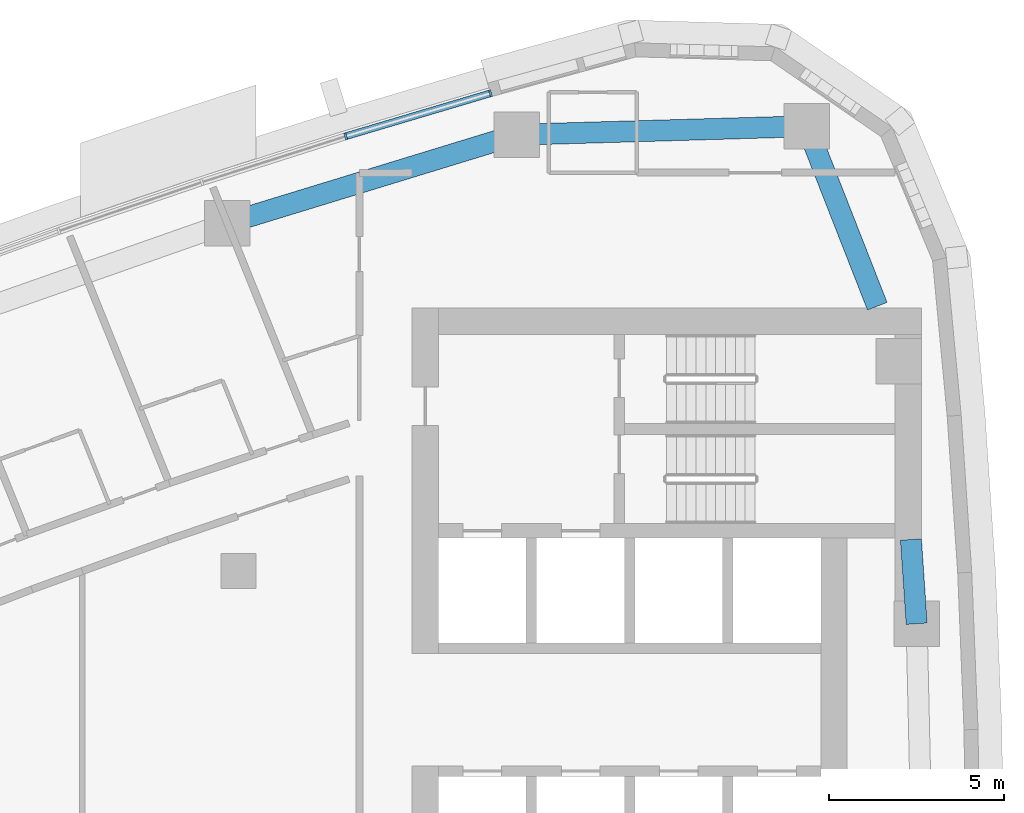
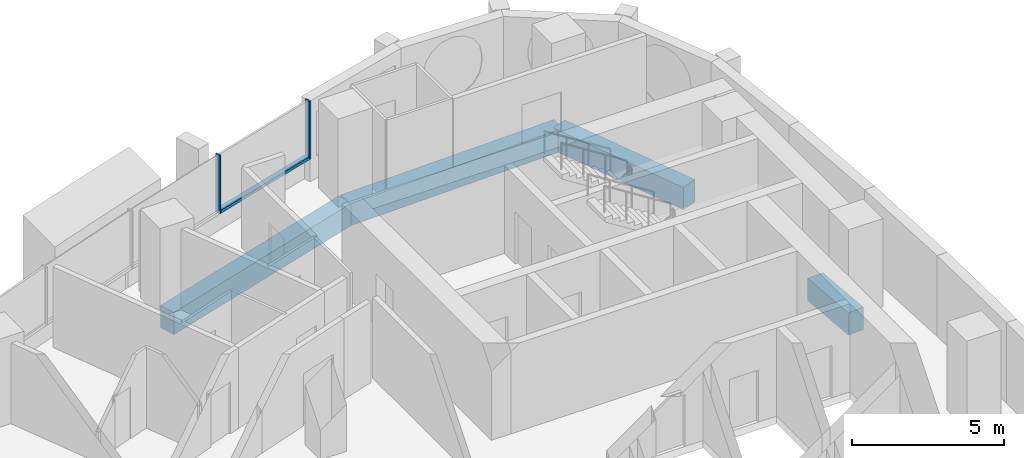
# One storey, part 7 of 17: 4 beams, 3 members, 1 element without a shape of its own.
"""IFC4 building model written with IfcOpenShell, lengths in metres."""

from ifc_helpers import new_model, si_unit, direction, frame, origin, origin_2d, place, context, subcontext, project, spatial, rectangle, extrude, material, layer, layer_set, material_profile, profile_set, type_object, element, aggregate, save


model = new_model("IFC4")

# Units and contexts
model_context = context("Model", 3, precision=1e-05, world=origin(), true_north=direction((0.0, 1.0)))
body_context = subcontext(model_context, "Body", "Model", "MODEL_VIEW")
ifc_project = project(units=[si_unit("LENGTHUNIT", "METRE"), si_unit("AREAUNIT", "SQUARE_METRE"), si_unit("VOLUMEUNIT", "CUBIC_METRE"), si_unit("PLANEANGLEUNIT", "RADIAN"), si_unit("MASSUNIT", "GRAM", prefix="KILO")], contexts=[model_context])

# Site, building, storey
site_placement = place(None, origin())
site = spatial("IfcSite", under=ifc_project, at=site_placement, CompositionType="ELEMENT")
building_placement = place(site_placement, origin())
building = spatial("IfcBuilding", under=site, at=building_placement, Name="Ostrand Prow Hotel Tower", CompositionType="ELEMENT")
storey_placement = place(building_placement, frame((0.0, 0.0, 175.5)))
storey = spatial("IfcBuildingStorey", under=building, at=storey_placement, Name="L43", CompositionType="ELEMENT", Elevation=175.5)

# Beams
ifc_material_1 = material(Name="Concrete C60/75", Category="concrete")
ifc_material_profile_1 = material_profile(ifc_material_1, rectangle(XDim=0.60009765625, YDim=0.89990234375, at=origin_2d()), Name="RC 600x900")
ifc_profile_set_1 = profile_set([ifc_material_profile_1], Name="Concrete C60/75")
beam_type = type_object("IfcBeamType", Name="Edge beam 600x900 C60/75", PredefinedType="SPANDREL", material=ifc_profile_set_1)
beam_1_placement = place(storey_placement, frame((64.330322265625, 7.499267578125, -0.75), z_axis=(-0.067778284608, 0.997700408006, 0.0), x_axis=(-0.997700408006, -0.067778284608, 0.0)))
element("IfcBeam", 1, at=beam_1_placement, inside=storey, type_object=beam_type, Name="Edge beam B4-B5", PredefinedType="SPANDREL", context=body_context, shape_type="SweptSolid", body=[
    extrude(rectangle(XDim=0.60009765625, YDim=0.89990234375, at=origin_2d()), origin(), (0.0, 0.0, 1.0), 2.40625),
])
beam_2_placement = place(storey_placement, frame((63.2080078125, 16.550048828125, -0.75), z_axis=(-0.364802049817, 0.931085100541, 0.0), x_axis=(-0.931085100541, -0.364802049817, 0.0)))
element("IfcBeam", 2, at=beam_2_placement, inside=storey, type_object=beam_type, Name="Edge beam B5-NE", PredefinedType="SPANDREL", context=body_context, shape_type="SweptSolid", body=[
    extrude(rectangle(XDim=0.60009765625, YDim=0.89990234375, at=origin_2d()), origin(), (0.0, 0.0, 1.0), 5.508544921875),
])
beam_3_placement = place(storey_placement, frame((61.198486328125, 21.678955078125, -0.75), z_axis=(-0.999575901438, -0.029120735993, 0.0), x_axis=(0.029120735993, -0.999575901438, 0.0)))
element("IfcBeam", 3, at=beam_3_placement, inside=storey, type_object=beam_type, Name="Edge beam NE-N1", PredefinedType="SPANDREL", context=body_context, shape_type="SweptSolid", body=[
    extrude(rectangle(XDim=0.60009765625, YDim=0.89990234375, at=origin_2d()), origin(), (0.0, 0.0, 1.0), 8.274658203125),
])
beam_4_placement = place(storey_placement, frame((52.92724609375, 21.43798828125, -0.75), z_axis=(-0.956245556413, -0.292565267659, 0.0), x_axis=(0.292565267659, -0.956245556413, 0.0)))
element("IfcBeam", 4, at=beam_4_placement, inside=storey, type_object=beam_type, Name="Edge beam N1-N2", PredefinedType="SPANDREL", context=body_context, shape_type="SweptSolid", body=[
    extrude(rectangle(XDim=0.60009765625, YDim=0.89990234375, at=origin_2d()), origin(), (0.0, 0.0, 1.0), 8.621826171875),
])

# Curtain wall, members
ifc_material_2 = material(Name="Insulated glass in bronze anodised frame", Category="glass")
ifc_layer = layer(ifc_material_2, 0.199951171875)
ifc_layer_set = layer_set([ifc_layer], Name="Insulated glass in bronze anodised frame")
curtain_wall_type = type_object("IfcCurtainWallType", Name="Strip curtain wall, fritted glass over bronze spandrel", PredefinedType="NOTDEFINED", material=ifc_layer_set)
curtain_wall_placement = place(storey_placement, origin())
curtain_wall = element("IfcCurtainWall", 5, at=curtain_wall_placement, inside=storey, type_object=curtain_wall_type, Name="CW1 run CWN1", PredefinedType="NOTDEFINED")
ifc_material_3 = material(Name="Bronze anodised aluminium", Category="aluminium")
ifc_material_profile_2 = material_profile(ifc_material_3, rectangle(XDim=0.199951171875, YDim=0.06005859375, at=origin_2d()), Name="Mullion 60x200 bronze anodised aluminium")
ifc_profile_set_2 = profile_set([ifc_material_profile_2], Name="Bronze anodised aluminium")
member_type_1 = type_object("IfcMemberType", Name="Mullion 60x200 bronze anodised aluminium", PredefinedType="MULLION", material=ifc_profile_set_2)
member_1_placement = place(storey_placement, frame((52.182373046875, 22.619384765625, 0.89990234375), z_axis=(0.0, 0.0, 1.0), x_axis=(0.284544113619, -0.958662947758, 0.0)))
member_1 = element("IfcMember", 6, at=member_1_placement, type_object=member_type_1, Name="CW1 mullion 1", PredefinedType="MULLION", context=body_context, shape_type="SweptSolid", body=[
    extrude(rectangle(XDim=0.199951171875, YDim=0.06005859375, at=origin_2d()), origin(), (0.0, 0.0, 1.0), 2.35009765625),
])
member_2_placement = place(storey_placement, frame((48.055419921875, 21.39453125, 0.89990234375), z_axis=(0.0, 0.0, 1.0), x_axis=(0.303786970008, -0.952739983864, 0.0)))
member_2 = element("IfcMember", 7, at=member_2_placement, type_object=member_type_1, Name="CW1 mullion 2", PredefinedType="MULLION", context=body_context, shape_type="SweptSolid", body=[
    extrude(rectangle(XDim=0.199951171875, YDim=0.06005859375, at=origin_2d()), origin(), (0.0, 0.0, 1.0), 2.35009765625),
])
ifc_material_4 = material(Name="Bronze anodised aluminium", Category="aluminium")
ifc_material_profile_3 = material_profile(ifc_material_4, rectangle(XDim=0.199951171875, YDim=0.1201171875, at=origin_2d()), Name="Transom 120x200 bronze anodised aluminium")
ifc_profile_set_3 = profile_set([ifc_material_profile_3], Name="Bronze anodised aluminium")
member_type_2 = type_object("IfcMemberType", Name="Transom 120x200 bronze anodised aluminium", PredefinedType="USERDEFINED", material=ifc_profile_set_3)
member_3_placement = place(storey_placement, frame((52.15380859375, 22.611083984375, 0.9599609375), z_axis=(-0.958661084062, -0.284550392558, 0.0), x_axis=(0.284550392558, -0.958661084062, 0.0)))
member_3 = element("IfcMember", 8, at=member_3_placement, type_object=member_type_2, Name="CW1 transom 1.1", ObjectType="TRANSOM", PredefinedType="USERDEFINED", context=body_context, shape_type="SweptSolid", body=[
    extrude(rectangle(XDim=0.199951171875, YDim=0.1201171875, at=origin_2d()), origin(), (0.0, 0.0, 1.0), 4.245361328125),
])
aggregate(curtain_wall, [member_1, member_2, member_3])

save(model, "model.ifc")
